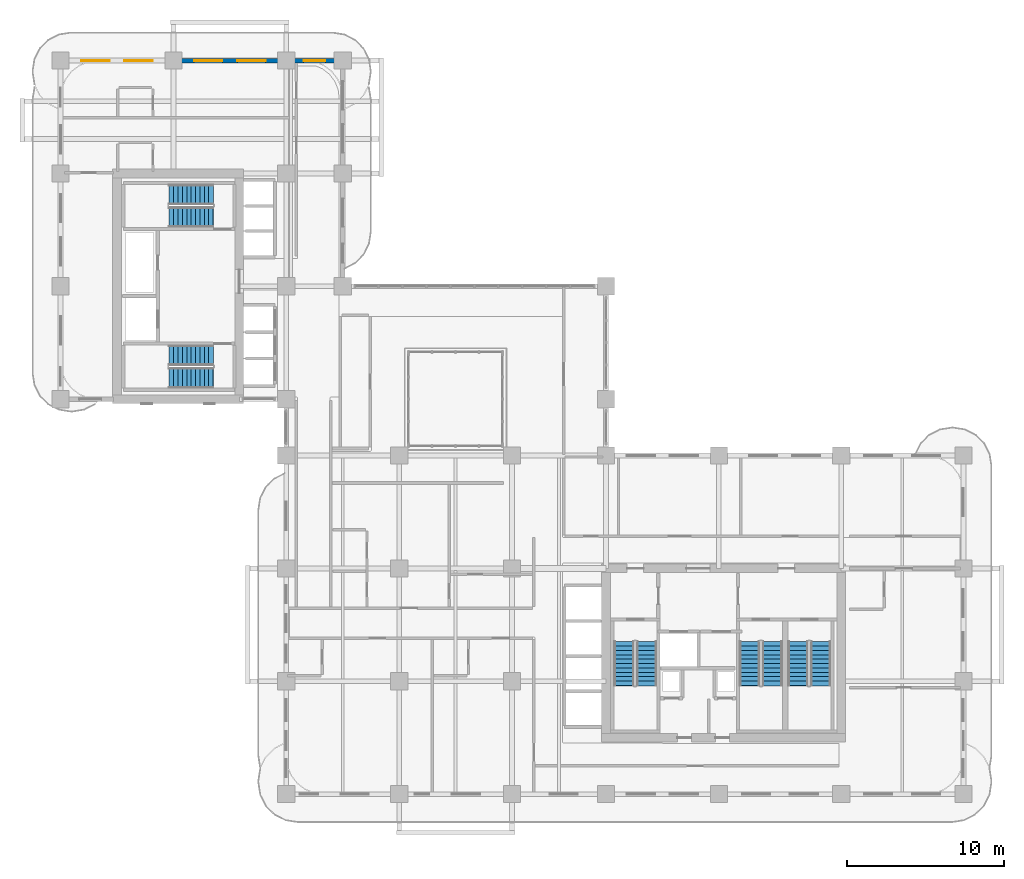
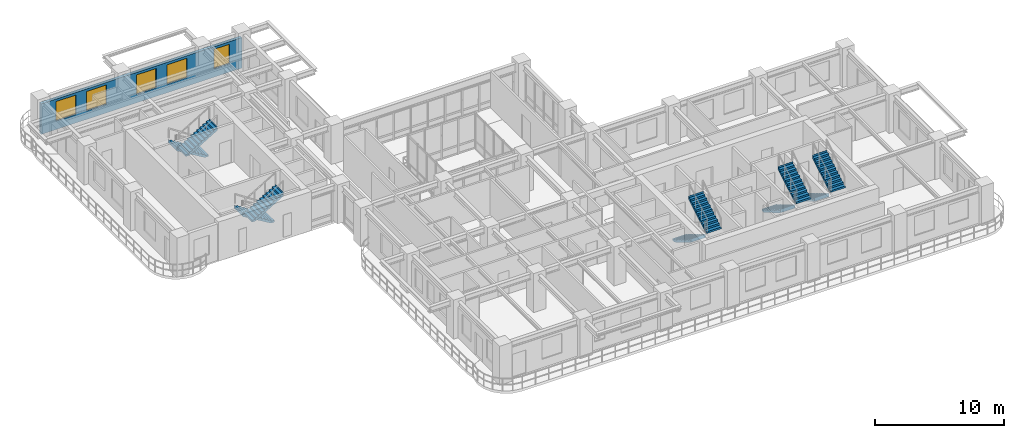
# One storey, part 17 of 22: 10 stair flights, 5 windows, 1 wall, 5 openings, 5 elements without a shape of their own.
"""IFC4 building model written with IfcOpenShell, lengths in metres."""

from ifc_helpers import new_model, si_unit, derived_unit, direction, frame, frame_2d, origin, place, context, subcontext, project, spatial, polyline, rectangle, outline, extrude, source, transform, mapped, material, layer, layer_set, type_object, type_shapes, element, fill, aggregate, save


model = new_model("IFC4")

# Units and contexts
model_context = context("Model", 3, precision=1e-05, world=origin(), true_north=direction((0.0, 1.0)))
body_context = subcontext(model_context, "Body", "Model", "MODEL_VIEW")
ifc_project = project(units=[si_unit("LENGTHUNIT", "METRE"), si_unit("AREAUNIT", "SQUARE_METRE"), si_unit("VOLUMEUNIT", "CUBIC_METRE"), si_unit("PLANEANGLEUNIT", "RADIAN"), si_unit("MASSUNIT", "GRAM", prefix="KILO"), si_unit("THERMODYNAMICTEMPERATUREUNIT", "KELVIN"), si_unit("POWERUNIT", "WATT"), derived_unit("THERMALTRANSMITTANCEUNIT", [(si_unit("POWERUNIT", "WATT"), 1), (si_unit("AREAUNIT", "SQUARE_METRE"), -1), (si_unit("THERMODYNAMICTEMPERATUREUNIT", "KELVIN"), -1)])], contexts=[model_context])

# Site, building, storey
site_placement = place(None, origin())
site = spatial("IfcSite", under=ifc_project, at=site_placement, CompositionType="ELEMENT")
building_placement = place(site_placement, origin())
building = spatial("IfcBuilding", under=site, at=building_placement, Name="Zahravan Archway Hotel and Residences", CompositionType="ELEMENT")
storey_placement = place(building_placement, frame((0.0, 0.0, 87.89990234375)))
storey = spatial("IfcBuildingStorey", under=building, at=storey_placement, Name="L21", CompositionType="ELEMENT", Elevation=87.89990234375)

# Wall, openings, windows
ifc_material_1 = material(Name="Honed Red-Ochre Sandstone & Insulated Block", Category="masonry")
ifc_layer_1 = layer(ifc_material_1, 0.280029296875, Name="Honed Red-Ochre Sandstone & Insulated Block", Category="masonry")
ifc_layer_set_1 = layer_set([ifc_layer_1], Name="Honed Red-Ochre Sandstone & Insulated Block")
wall_type = type_object("IfcWallType", Name="EW-LOG-280", PredefinedType="SOLIDWALL", material=ifc_layer_set_1)
wall_placement = place(storey_placement, frame((0.0, 46.800048828125, 0.0), z_axis=(0.0, 0.0, 1.0), x_axis=(1.0, 0.0, 0.0)))
wall = element("IfcWall", 1, at=wall_placement, inside=storey, type_object=wall_type, Name="L21 Exterior Sandstone Wall WB-N", PredefinedType="SOLIDWALL", context=body_context, shape_type="SweptSolid", body=[
    extrude(rectangle(XDim=18.0, YDim=0.280029296875, at=frame_2d((9.0, 0.0))), origin(), (0.0, 0.0, 1.0), 2.885009765625),
])
opening_1_placement = place(wall_placement, frame((1.324951171875, 0.0, 0.800048828125)))
opening_1 = element("IfcOpeningElement", 2, at=opening_1_placement, cuts=wall, Name="Opening W-02", PredefinedType="OPENING", context=body_context, shape_type="SweptSolid", body=[
    extrude(rectangle(XDim=1.800048828125, YDim=1.85009765625, at=frame_2d((0.89990234375, 0.925048828125))), frame((0.0, 0.14990234375, 0.0), z_axis=(0.0, -1.0, 0.0), x_axis=(1.0, 0.0, 0.0)), (0.0, 0.0, 1.0), 0.300048828125),
])
opening_2_placement = place(wall_placement, frame((4.074951171875, 0.0, 0.800048828125)))
opening_2 = element("IfcOpeningElement", 3, at=opening_2_placement, cuts=wall, Name="Opening W-02", PredefinedType="OPENING", context=body_context, shape_type="SweptSolid", body=[
    extrude(rectangle(XDim=1.800048828125, YDim=1.85009765625, at=frame_2d((0.89990234375, 0.925048828125))), frame((0.0, 0.14990234375, 0.0), z_axis=(0.0, -1.0, 0.0), x_axis=(1.0, 0.0, 0.0)), (0.0, 0.0, 1.0), 0.300048828125),
])
opening_3_placement = place(wall_placement, frame((8.52490234375, 0.0, 0.800048828125)))
opening_3 = element("IfcOpeningElement", 4, at=opening_3_placement, cuts=wall, Name="Opening W-02", PredefinedType="OPENING", context=body_context, shape_type="SweptSolid", body=[
    extrude(rectangle(XDim=1.800048828125, YDim=1.85009765625, at=frame_2d((0.89990234375, 0.925048828125))), frame((0.0, 0.14990234375, 0.0), z_axis=(0.0, -1.0, 0.0), x_axis=(1.0, 0.0, 0.0)), (0.0, 0.0, 1.0), 0.300048828125),
])
opening_4_placement = place(wall_placement, frame((11.27490234375, 0.0, 0.800048828125)))
opening_4 = element("IfcOpeningElement", 5, at=opening_4_placement, cuts=wall, Name="Opening W-02", PredefinedType="OPENING", context=body_context, shape_type="SweptSolid", body=[
    extrude(rectangle(XDim=1.800048828125, YDim=1.85009765625, at=frame_2d((0.89990234375, 0.925048828125))), frame((0.0, 0.14990234375, 0.0), z_axis=(0.0, -1.0, 0.0), x_axis=(1.0, 0.0, 0.0)), (0.0, 0.0, 1.0), 0.300048828125),
])
opening_5_placement = place(wall_placement, frame((15.5, 0.0, 0.800048828125)))
opening_5 = element("IfcOpeningElement", 6, at=opening_5_placement, cuts=wall, Name="Opening W-03", PredefinedType="OPENING", context=body_context, shape_type="SweptSolid", body=[
    extrude(rectangle(XDim=1.39990234375, YDim=1.85009765625, at=frame_2d((0.699951171875, 0.925048828125))), frame((0.0, 0.14990234375, 0.0), z_axis=(0.0, -1.0, 0.0), x_axis=(1.0, 0.0, 0.0)), (0.0, 0.0, 1.0), 0.300048828125),
])
ifc_material_2 = material(Name="Bronze-Anodized Thermal-Break Aluminium & Low-E Glass", Category="aluminium")
window_type_1 = type_object("IfcWindowType", Name="WIN-TWR-1400", PartitioningType="SINGLE_PANEL", PredefinedType="WINDOW", material=ifc_material_2)
shared_shape_1 = source(origin(), body_context, "Body", "SweptSolid", [
    extrude(rectangle(XDim=1.39990234375, YDim=1.85009765625, at=frame_2d((0.699951171875, 0.925048828125))), frame((0.0, 0.030029296875, 0.0), z_axis=(0.0, -1.0, 0.0), x_axis=(1.0, 0.0, 0.0)), (0.0, 0.0, 1.0), 0.06005859375),
])
type_shapes(window_type_1, [shared_shape_1])
window_1_placement = place(opening_5_placement, origin())
window_1 = element("IfcWindow", 7, at=window_1_placement, inside=storey, type_object=window_type_1, Name="L21 Loggia Window 37", OverallHeight=1.85009765625, OverallWidth=1.39990234375, PartitioningType="SINGLE_PANEL", PredefinedType="WINDOW", context=body_context, shape_type="MappedRepresentation", body=[
    mapped(shared_shape_1, transform((0.0, 0.0, 0.0), scale=1.0)),
])
fill(opening_5, window_1)
window_type_2 = type_object("IfcWindowType", Name="WIN-TWR-1800", PartitioningType="DOUBLE_PANEL_VERTICAL", PredefinedType="WINDOW", material=ifc_material_2)
shared_shape_2 = source(origin(), body_context, "Body", "SweptSolid", [
    extrude(rectangle(XDim=1.800048828125, YDim=1.85009765625, at=frame_2d((0.89990234375, 0.925048828125))), frame((0.0, 0.030029296875, 0.0), z_axis=(0.0, -1.0, 0.0), x_axis=(1.0, 0.0, 0.0)), (0.0, 0.0, 1.0), 0.06005859375),
])
type_shapes(window_type_2, [shared_shape_2])
window_2_placement = place(opening_1_placement, origin())
window_2 = element("IfcWindow", 8, at=window_2_placement, inside=storey, type_object=window_type_2, Name="L21 Loggia Window 33", OverallHeight=1.85009765625, OverallWidth=1.800048828125, PartitioningType="DOUBLE_PANEL_VERTICAL", PredefinedType="WINDOW", context=body_context, shape_type="MappedRepresentation", body=[
    mapped(shared_shape_2, transform((0.0, 0.0, 0.0), scale=1.0)),
])
fill(opening_1, window_2)
window_3_placement = place(opening_2_placement, origin())
window_3 = element("IfcWindow", 9, at=window_3_placement, inside=storey, type_object=window_type_2, Name="L21 Loggia Window 34", OverallHeight=1.85009765625, OverallWidth=1.800048828125, PartitioningType="DOUBLE_PANEL_VERTICAL", PredefinedType="WINDOW", context=body_context, shape_type="MappedRepresentation", body=[
    mapped(shared_shape_2, transform((0.0, 0.0, 0.0), scale=1.0)),
])
fill(opening_2, window_3)
window_4_placement = place(opening_3_placement, origin())
window_4 = element("IfcWindow", 10, at=window_4_placement, inside=storey, type_object=window_type_2, Name="L21 Loggia Window 35", OverallHeight=1.85009765625, OverallWidth=1.800048828125, PartitioningType="DOUBLE_PANEL_VERTICAL", PredefinedType="WINDOW", context=body_context, shape_type="MappedRepresentation", body=[
    mapped(shared_shape_2, transform((0.0, 0.0, 0.0), scale=1.0)),
])
fill(opening_3, window_4)
window_5_placement = place(opening_4_placement, origin())
window_5 = element("IfcWindow", 11, at=window_5_placement, inside=storey, type_object=window_type_2, Name="L21 Loggia Window 36", OverallHeight=1.85009765625, OverallWidth=1.800048828125, PartitioningType="DOUBLE_PANEL_VERTICAL", PredefinedType="WINDOW", context=body_context, shape_type="MappedRepresentation", body=[
    mapped(shared_shape_2, transform((0.0, 0.0, 0.0), scale=1.0)),
])
fill(opening_4, window_5)

# Stair, stair flights
ifc_material_3 = material(Name="Concrete C50/60", Category="concrete")
stair_type = type_object("IfcStairType", Name="STR-CORE-1300", PredefinedType="HALF_TURN_STAIR", material=ifc_material_3)
stair_1_placement = place(storey_placement, origin())
stair_1 = element("IfcStair", 12, at=stair_1_placement, inside=storey, type_object=stair_type, Name="L21 Core A Exit Stair 1", PredefinedType="HALF_TURN_STAIR")
ifc_layer_2 = layer(ifc_material_3, 0.199951171875, Name="Concrete C50/60", Category="concrete")
ifc_layer_set_2 = layer_set([ifc_layer_2], Name="Concrete C50/60")
stair_flight_type = type_object("IfcStairFlightType", Name="SFL-CORE-1300", PredefinedType="STRAIGHT", material=ifc_layer_set_2)
shared_shape_3 = source(origin(), body_context, "Body", "SweptSolid", [
    extrude(outline(polyline([(-0.01611328125, 0.0), (-0.01611328125, 0.168212890625), (0.280029296875, 0.168212890625), (0.280029296875, 0.33642578125), (0.56005859375, 0.33642578125), (0.56005859375, 0.504638671875), (0.840087890625, 0.504638671875), (0.840087890625, 0.672607421875), (1.1201171875, 0.672607421875), (1.1201171875, 0.8408203125), (1.39990234375, 0.8408203125), (1.39990234375, 1.009033203125), (1.679931640625, 1.009033203125), (1.679931640625, 1.17724609375), (1.9599609375, 1.17724609375), (1.9599609375, 1.345458984375), (2.239990234375, 1.345458984375), (2.239990234375, 1.513671875), (2.52001953125, 1.513671875), (2.52001953125, 1.681884765625), (2.800048828125, 1.681884765625), (2.800048828125, 1.85009765625), (2.816162109375, 1.85009765625), (2.816162109375, 1.5068359375), (0.291015625, 0.0), (-0.01611328125, 0.0)])), frame((0.0, 0.64990234375, 0.0), z_axis=(0.0, -1.0, 0.0), x_axis=(1.0, 0.0, 0.0)), (0.0, 0.0, 1.0), 1.300048828125),
])
stair_flight_1_placement = place(storey_placement, frame((35.949951171875, 9.72998046875, 0.0), z_axis=(0.0, 0.0, 1.0), x_axis=(0.0, -1.0, 0.0)))
stair_flight_1 = element("IfcStairFlight", 13, at=stair_flight_1_placement, type_object=stair_flight_type, Name="ST-A1 flight 1", NumberOfRisers=11, NumberOfTreads=10, PredefinedType="STRAIGHT", RiserHeight=0.168181818, TreadLength=0.28, context=body_context, shape_type="MappedRepresentation", body=[
    mapped(shared_shape_3, transform((0.0, 0.0, 0.0), scale=1.0)),
])
stair_flight_2_placement = place(storey_placement, frame((37.389892578125, 6.929931640625, 1.85009765625), z_axis=(0.0, 0.0, 1.0), x_axis=(0.0, 1.0, 0.0)))
stair_flight_2 = element("IfcStairFlight", 14, at=stair_flight_2_placement, type_object=stair_flight_type, Name="ST-A1 flight 2", NumberOfRisers=11, NumberOfTreads=10, PredefinedType="STRAIGHT", RiserHeight=0.168181818, TreadLength=0.28, context=body_context, shape_type="MappedRepresentation", body=[
    mapped(shared_shape_3, transform((0.0, 0.0, 0.0), scale=1.0)),
])
aggregate(stair_1, [stair_flight_1, stair_flight_2])

stair_2_placement = place(storey_placement, origin())
stair_2 = element("IfcStair", 15, at=stair_2_placement, inside=storey, type_object=stair_type, Name="L21 Core A Exit Stair 2", PredefinedType="HALF_TURN_STAIR")
stair_flight_3_placement = place(storey_placement, frame((43.969970703125, 9.72998046875, 0.0), z_axis=(0.0, 0.0, 1.0), x_axis=(0.0, -1.0, 0.0)))
stair_flight_3 = element("IfcStairFlight", 16, at=stair_flight_3_placement, type_object=stair_flight_type, Name="ST-A2 flight 1", NumberOfRisers=11, NumberOfTreads=10, PredefinedType="STRAIGHT", RiserHeight=0.168181818, TreadLength=0.28, context=body_context, shape_type="MappedRepresentation", body=[
    mapped(shared_shape_3, transform((0.0, 0.0, 0.0), scale=1.0)),
])
stair_flight_4_placement = place(storey_placement, frame((45.409912109375, 6.929931640625, 1.85009765625), z_axis=(0.0, 0.0, 1.0), x_axis=(0.0, 1.0, 0.0)))
stair_flight_4 = element("IfcStairFlight", 17, at=stair_flight_4_placement, type_object=stair_flight_type, Name="ST-A2 flight 2", NumberOfRisers=11, NumberOfTreads=10, PredefinedType="STRAIGHT", RiserHeight=0.168181818, TreadLength=0.28, context=body_context, shape_type="MappedRepresentation", body=[
    mapped(shared_shape_3, transform((0.0, 0.0, 0.0), scale=1.0)),
])
aggregate(stair_2, [stair_flight_3, stair_flight_4])

stair_3_placement = place(storey_placement, origin())
stair_3 = element("IfcStair", 18, at=stair_3_placement, inside=storey, type_object=stair_type, Name="L21 Core A Exit Stair 3", PredefinedType="HALF_TURN_STAIR")
stair_flight_5_placement = place(storey_placement, frame((47.050048828125, 9.72998046875, 0.0), z_axis=(0.0, 0.0, 1.0), x_axis=(0.0, -1.0, 0.0)))
stair_flight_5 = element("IfcStairFlight", 19, at=stair_flight_5_placement, type_object=stair_flight_type, Name="ST-A3 flight 1", NumberOfRisers=11, NumberOfTreads=10, PredefinedType="STRAIGHT", RiserHeight=0.168181818, TreadLength=0.28, context=body_context, shape_type="MappedRepresentation", body=[
    mapped(shared_shape_3, transform((0.0, 0.0, 0.0), scale=1.0)),
])
stair_flight_6_placement = place(storey_placement, frame((48.489990234375, 6.929931640625, 1.85009765625), z_axis=(0.0, 0.0, 1.0), x_axis=(0.0, 1.0, 0.0)))
stair_flight_6 = element("IfcStairFlight", 20, at=stair_flight_6_placement, type_object=stair_flight_type, Name="ST-A3 flight 2", NumberOfRisers=11, NumberOfTreads=10, PredefinedType="STRAIGHT", RiserHeight=0.168181818, TreadLength=0.28, context=body_context, shape_type="MappedRepresentation", body=[
    mapped(shared_shape_3, transform((0.0, 0.0, 0.0), scale=1.0)),
])
aggregate(stair_3, [stair_flight_5, stair_flight_6])

stair_4_placement = place(storey_placement, origin())
stair_4 = element("IfcStair", 21, at=stair_4_placement, inside=storey, type_object=stair_type, Name="L21 Core B Exit Stair 1", PredefinedType="HALF_TURN_STAIR")
stair_flight_7_placement = place(storey_placement, frame((9.72998046875, 27.989990234375, 0.0), z_axis=(0.0, 0.0, 1.0), x_axis=(-1.0, 0.0, 0.0)))
stair_flight_7 = element("IfcStairFlight", 22, at=stair_flight_7_placement, type_object=stair_flight_type, Name="ST-B1 flight 1", NumberOfRisers=11, NumberOfTreads=10, PredefinedType="STRAIGHT", RiserHeight=0.168181818, TreadLength=0.28, context=body_context, shape_type="MappedRepresentation", body=[
    mapped(shared_shape_3, transform((0.0, 0.0, 0.0), scale=1.0)),
])
stair_flight_8_placement = place(storey_placement, frame((6.929931640625, 26.550048828125, 1.85009765625), z_axis=(0.0, 0.0, 1.0), x_axis=(1.0, 0.0, 0.0)))
stair_flight_8 = element("IfcStairFlight", 23, at=stair_flight_8_placement, type_object=stair_flight_type, Name="ST-B1 flight 2", NumberOfRisers=11, NumberOfTreads=10, PredefinedType="STRAIGHT", RiserHeight=0.168181818, TreadLength=0.28, context=body_context, shape_type="MappedRepresentation", body=[
    mapped(shared_shape_3, transform((0.0, 0.0, 0.0), scale=1.0)),
])
aggregate(stair_4, [stair_flight_7, stair_flight_8])

stair_5_placement = place(storey_placement, origin())
stair_5 = element("IfcStair", 24, at=stair_5_placement, inside=storey, type_object=stair_type, Name="L21 Core B Exit Stair 2", PredefinedType="HALF_TURN_STAIR")
stair_flight_9_placement = place(storey_placement, frame((9.72998046875, 38.25, 0.0), z_axis=(0.0, 0.0, 1.0), x_axis=(-1.0, 0.0, 0.0)))
stair_flight_9 = element("IfcStairFlight", 25, at=stair_flight_9_placement, type_object=stair_flight_type, Name="ST-B2 flight 1", NumberOfRisers=11, NumberOfTreads=10, PredefinedType="STRAIGHT", RiserHeight=0.168181818, TreadLength=0.28, context=body_context, shape_type="MappedRepresentation", body=[
    mapped(shared_shape_3, transform((0.0, 0.0, 0.0), scale=1.0)),
])
stair_flight_10_placement = place(storey_placement, frame((6.929931640625, 36.81005859375, 1.85009765625), z_axis=(0.0, 0.0, 1.0), x_axis=(1.0, 0.0, 0.0)))
stair_flight_10 = element("IfcStairFlight", 26, at=stair_flight_10_placement, type_object=stair_flight_type, Name="ST-B2 flight 2", NumberOfRisers=11, NumberOfTreads=10, PredefinedType="STRAIGHT", RiserHeight=0.168181818, TreadLength=0.28, context=body_context, shape_type="MappedRepresentation", body=[
    mapped(shared_shape_3, transform((0.0, 0.0, 0.0), scale=1.0)),
])
aggregate(stair_5, [stair_flight_9, stair_flight_10])

save(model, "model.ifc")
